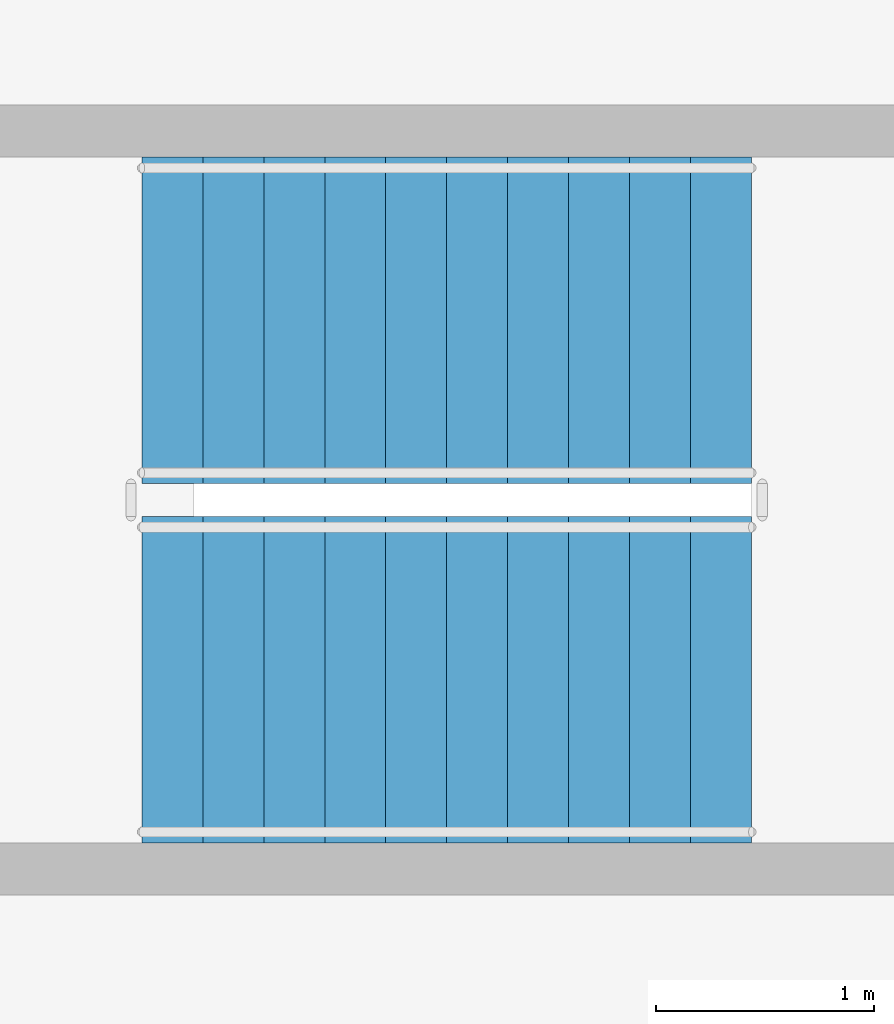
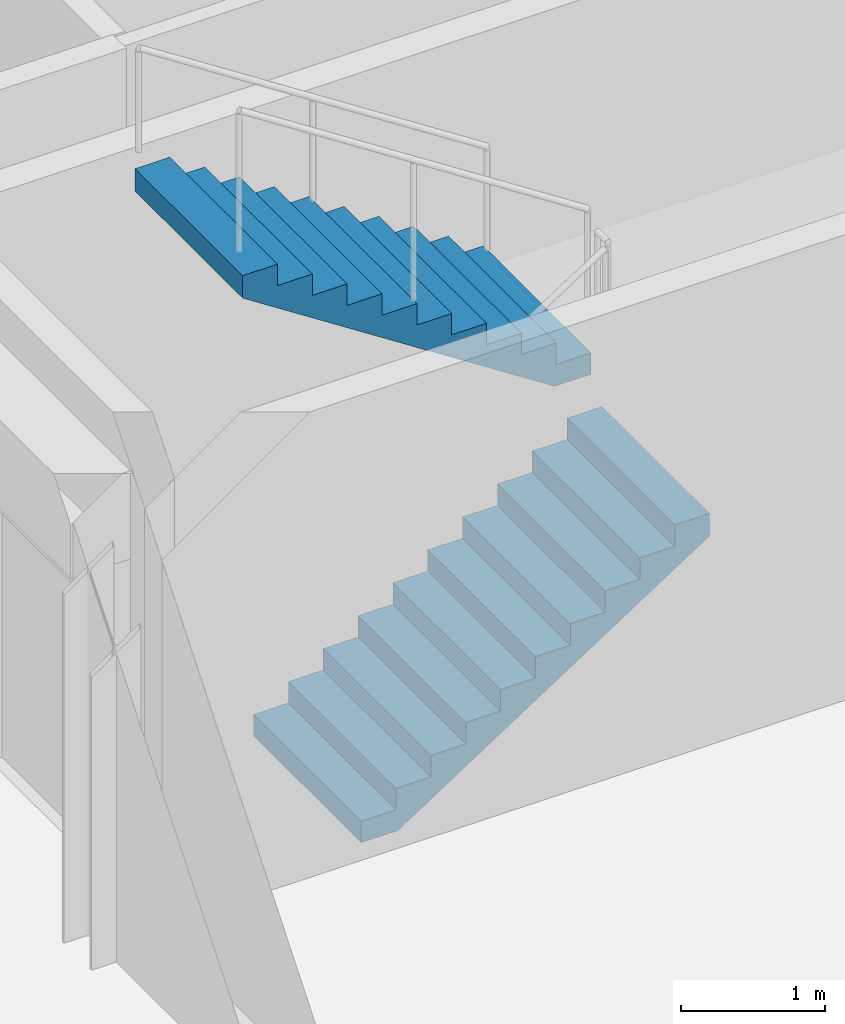
# One storey, part 7 of 11: 2 stair flights, 1 element without a shape of its own.
"""IFC4 building model written with IfcOpenShell, lengths in metres."""

from ifc_helpers import new_model, si_unit, direction, frame, origin, place, context, subcontext, project, spatial, polyline, outline, extrude, material, type_object, element, aggregate, save


model = new_model("IFC4")

# Units and contexts
model_context = context("Model", 3, precision=1e-05, world=origin(), true_north=direction((0.0, 1.0)))
body_context = subcontext(model_context, "Body", "Model", "MODEL_VIEW")
ifc_project = project(units=[si_unit("LENGTHUNIT", "METRE"), si_unit("AREAUNIT", "SQUARE_METRE"), si_unit("VOLUMEUNIT", "CUBIC_METRE"), si_unit("PLANEANGLEUNIT", "RADIAN"), si_unit("MASSUNIT", "GRAM", prefix="KILO")], contexts=[model_context])

# Site, building, storey
site_placement = place(None, origin())
site = spatial("IfcSite", under=ifc_project, at=site_placement, CompositionType="ELEMENT")
building_placement = place(site_placement, origin())
building = spatial("IfcBuilding", under=site, at=building_placement, Name="Qianrong Seaharbour Tower", CompositionType="ELEMENT")
storey_placement = place(building_placement, frame((0.0, 0.0, 277.800048828125)))
storey = spatial("IfcBuildingStorey", under=building, at=storey_placement, Name="L67", CompositionType="ELEMENT", Elevation=277.800048828125)

# Stair, stair flights
ifc_material = material(Name="Concrete C50/60", Category="concrete")
stair_type = type_object("IfcStairType", Name="STAIR-DOGLEG-1500-R22", PredefinedType="HALF_TURN_STAIR", material=ifc_material)
stair_placement = place(storey_placement, origin())
stair = element("IfcStair", 1, at=stair_placement, inside=storey, type_object=stair_type, Name="L67 Protected Escape Stair ST-1", PredefinedType="HALF_TURN_STAIR")
stair_flight_type = type_object("IfcStairFlightType", Name="FLIGHT-STR-1500-R22", PredefinedType="STRAIGHT", material=ifc_material)
stair_flight_1_placement = place(storey_placement, frame((42.699951171875, 44.949951171875, 0.0), z_axis=(0.0, 0.0, 1.0), x_axis=(1.0, 0.0, 0.0)))
stair_flight_1 = element("IfcStairFlight", 2, at=stair_flight_1_placement, type_object=stair_flight_type, Name="ST-1 flight 1", NumberOfRisers=11, NumberOfTreads=10, PredefinedType="STRAIGHT", RiserHeight=0.181818182, TreadLength=0.28, context=body_context, shape_type="SweptSolid", body=[
    extrude(outline(polyline([(0.0, 0.0), (0.0, 0.181884765625), (0.280029296875, 0.181884765625), (0.280029296875, 0.363525390625), (0.56005859375, 0.363525390625), (0.56005859375, 0.54541015625), (0.840087890625, 0.54541015625), (0.840087890625, 0.727294921875), (1.1201171875, 0.727294921875), (1.1201171875, 0.9091796875), (1.39990234375, 0.9091796875), (1.39990234375, 1.0908203125), (1.679931640625, 1.0908203125), (1.679931640625, 1.272705078125), (1.9599609375, 1.272705078125), (1.9599609375, 1.45458984375), (2.239990234375, 1.45458984375), (2.239990234375, 1.636474609375), (2.52001953125, 1.636474609375), (2.52001953125, 1.818115234375), (2.800048828125, 1.818115234375), (2.800048828125, 2.0), (2.800048828125, 1.62744140625), (0.293701171875, 0.0), (0.0, 0.0)])), frame((0.0, 0.75, 0.0), z_axis=(0.0, -1.0, 0.0), x_axis=(1.0, 0.0, 0.0)), (0.0, 0.0, 1.0), 1.5),
])
stair_flight_2_placement = place(storey_placement, frame((45.5, 46.60009765625, 2.0), z_axis=(0.0, 0.0, 1.0), x_axis=(-1.0, 0.0, 0.0)))
stair_flight_2 = element("IfcStairFlight", 3, at=stair_flight_2_placement, type_object=stair_flight_type, Name="ST-1 flight 2", NumberOfRisers=11, NumberOfTreads=10, PredefinedType="STRAIGHT", RiserHeight=0.181818182, TreadLength=0.28, context=body_context, shape_type="SweptSolid", body=[
    extrude(outline(polyline([(0.0, 0.0), (0.0, 0.181884765625), (0.280029296875, 0.181884765625), (0.280029296875, 0.363525390625), (0.56005859375, 0.363525390625), (0.56005859375, 0.54541015625), (0.840087890625, 0.54541015625), (0.840087890625, 0.727294921875), (1.1201171875, 0.727294921875), (1.1201171875, 0.9091796875), (1.39990234375, 0.9091796875), (1.39990234375, 1.0908203125), (1.679931640625, 1.0908203125), (1.679931640625, 1.272705078125), (1.9599609375, 1.272705078125), (1.9599609375, 1.45458984375), (2.239990234375, 1.45458984375), (2.239990234375, 1.636474609375), (2.52001953125, 1.636474609375), (2.52001953125, 1.818115234375), (2.800048828125, 1.818115234375), (2.800048828125, 2.0), (2.800048828125, 1.62744140625), (0.293701171875, 0.0), (0.0, 0.0)])), frame((0.0, 0.75, 0.0), z_axis=(0.0, -1.0, 0.0), x_axis=(1.0, 0.0, 0.0)), (0.0, 0.0, 1.0), 1.5),
])
aggregate(stair, [stair_flight_1, stair_flight_2])

save(model, "model.ifc")
